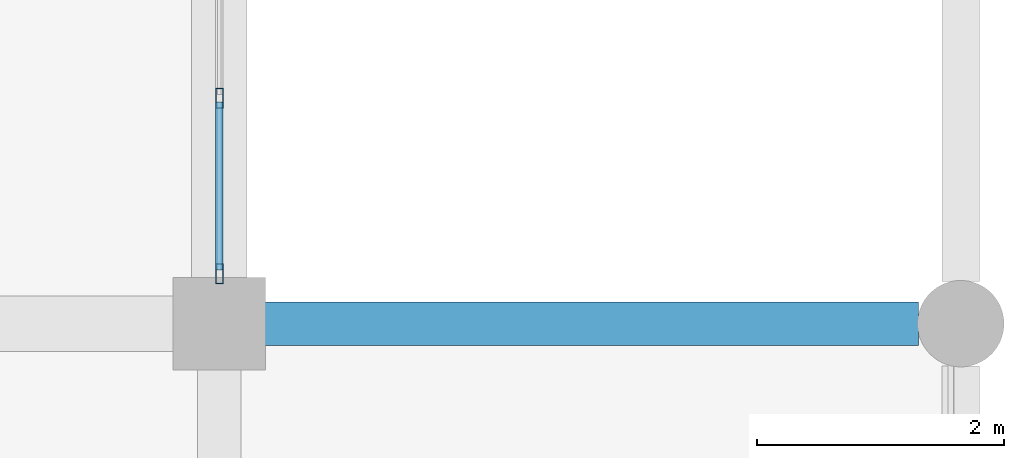
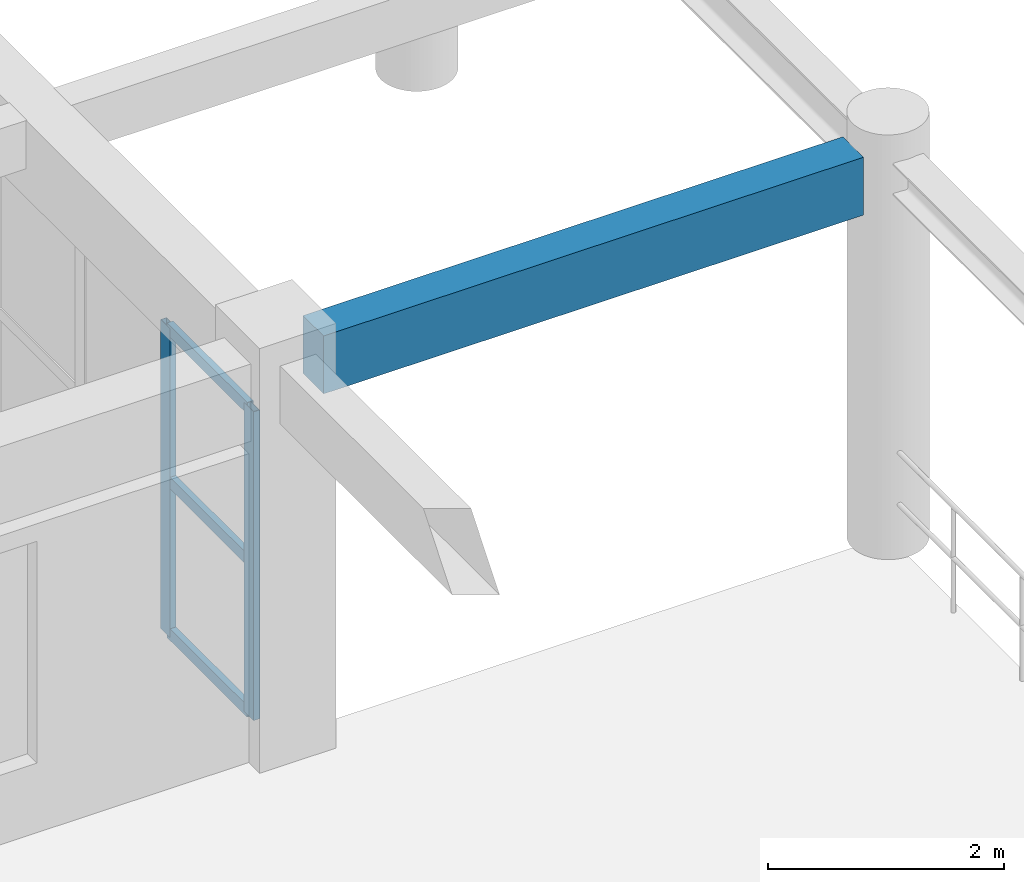
# One storey, part 55 of 116: 5 members, 1 beam, 1 element without a shape of its own.
"""IFC4 building model written with IfcOpenShell, lengths in metres."""

from ifc_helpers import new_model, si_unit, direction, frame, origin, origin_2d, place, context, subcontext, project, spatial, rectangle, hollow_rectangle, extrude, material, layer, layer_set, material_profile, profile_set, type_object, element, aggregate, save


model = new_model("IFC4")

# Units and contexts
model_context = context("Model", 3, precision=1e-05, world=origin(), true_north=direction((0.0, 1.0)))
body_context = subcontext(model_context, "Body", "Model", "MODEL_VIEW")
ifc_project = project(units=[si_unit("LENGTHUNIT", "METRE"), si_unit("AREAUNIT", "SQUARE_METRE"), si_unit("VOLUMEUNIT", "CUBIC_METRE"), si_unit("PLANEANGLEUNIT", "RADIAN"), si_unit("MASSUNIT", "GRAM", prefix="KILO")], contexts=[model_context])

# Site, building, storey
site_placement = place(None, origin())
site = spatial("IfcSite", under=ifc_project, at=site_placement, CompositionType="ELEMENT")
building_placement = place(site_placement, origin())
building = spatial("IfcBuilding", under=site, at=building_placement, Name="Muzn Square Opera House", CompositionType="ELEMENT")
storey_placement = place(building_placement, frame((0.0, 0.0, 5.39990234375)))
storey = spatial("IfcBuildingStorey", under=building, at=storey_placement, Name="L01", CompositionType="ELEMENT", Elevation=5.39990234375)

# Curtain wall, members
ifc_material_1 = material(Name="Low-E laminated acoustic double glazing", Category="glass")
ifc_layer = layer(ifc_material_1, 0.159912109375, Name="Low-E laminated acoustic double glazing", Category="glass")
ifc_layer_set = layer_set([ifc_layer], Name="Low-E laminated acoustic double glazing")
curtain_wall_type = type_object("IfcCurtainWallType", Name="Glazed Curtain Wall EastBlvd 7250x3200", PredefinedType="USERDEFINED", material=ifc_layer_set)
curtain_wall_placement = place(storey_placement, origin())
curtain_wall = element("IfcCurtainWall", 1, at=curtain_wall_placement, inside=storey, type_object=curtain_wall_type, Name="Glazed Curtain Wall CW-L01-112", ObjectType="GLAZED CURTAIN WALL", PredefinedType="USERDEFINED")
ifc_material_2 = material(Name="Anodised bronze aluminium 6063-T6", Category="metal")
ifc_material_profile_1 = material_profile(ifc_material_2, hollow_rectangle(XDim=0.06005859375, YDim=0.159912109375, WallThickness=0.00390625, at=origin_2d()), Name="ALU 160x60x4", Category="metal")
ifc_profile_set_1 = profile_set([ifc_material_profile_1], Name="Anodised bronze aluminium 6063-T6")
member_type_1 = type_object("IfcMemberType", Name="Curtain Wall Mullion 160x60", PredefinedType="MULLION", material=ifc_profile_set_1)
member_1_placement = place(storey_placement, frame((170.0, 6.405029296875, 0.0), z_axis=(0.0, 0.0, 1.0), x_axis=(-1.0, 0.0, 0.0)))
member_1 = element("IfcMember", 2, at=member_1_placement, type_object=member_type_1, Name="CW-EBL-72x32 mullion 1", PredefinedType="MULLION", context=body_context, shape_type="SweptSolid", body=[
    extrude(hollow_rectangle(XDim=0.06005859375, YDim=0.159912109375, WallThickness=0.00390625, at=origin_2d()), origin(), (0.0, 0.0, 1.0), 3.2001953125),
])
member_2_placement = place(storey_placement, frame((170.0, 7.824951171875, 0.0), z_axis=(0.0, 0.0, 1.0), x_axis=(-1.0, 0.0, 0.0)))
member_2 = element("IfcMember", 3, at=member_2_placement, type_object=member_type_1, Name="CW-EBL-72x32 mullion 2", PredefinedType="MULLION", context=body_context, shape_type="SweptSolid", body=[
    extrude(hollow_rectangle(XDim=0.06005859375, YDim=0.159912109375, WallThickness=0.00390625, at=origin_2d()), origin(), (0.0, 0.0, 1.0), 3.2001953125),
])
ifc_material_profile_2 = material_profile(ifc_material_2, hollow_rectangle(XDim=0.06005859375, YDim=0.1201171875, WallThickness=0.00390625, at=origin_2d()), Name="ALU 120x60x4", Category="metal")
ifc_profile_set_2 = profile_set([ifc_material_profile_2], Name="Anodised bronze aluminium 6063-T6")
member_type_2 = type_object("IfcMemberType", Name="Curtain Wall Transom 120x60", PredefinedType="USERDEFINED", material=ifc_profile_set_2)
member_3_placement = place(storey_placement, frame((170.0, 6.43505859375, 0.030029296875), z_axis=(0.0, 1.0, 0.0), x_axis=(-1.0, 0.0, 0.0)))
member_3 = element("IfcMember", 4, at=member_3_placement, type_object=member_type_2, Name="CW-EBL-72x32 transom 1.1", ObjectType="TRANSOM", PredefinedType="USERDEFINED", context=body_context, shape_type="SweptSolid", body=[
    extrude(hollow_rectangle(XDim=0.06005859375, YDim=0.1201171875, WallThickness=0.00390625, at=origin_2d()), origin(), (0.0, 0.0, 1.0), 1.35986328125),
])
member_4_placement = place(storey_placement, frame((170.0, 6.43505859375, 1.60009765625), z_axis=(0.0, 1.0, 0.0), x_axis=(-1.0, 0.0, 0.0)))
member_4 = element("IfcMember", 5, at=member_4_placement, type_object=member_type_2, Name="CW-EBL-72x32 transom 1.2", ObjectType="TRANSOM", PredefinedType="USERDEFINED", context=body_context, shape_type="SweptSolid", body=[
    extrude(hollow_rectangle(XDim=0.06005859375, YDim=0.1201171875, WallThickness=0.00390625, at=origin_2d()), origin(), (0.0, 0.0, 1.0), 1.35986328125),
])
member_5_placement = place(storey_placement, frame((170.0, 6.43505859375, 3.170166015625), z_axis=(0.0, 1.0, 0.0), x_axis=(-1.0, 0.0, 0.0)))
member_5 = element("IfcMember", 6, at=member_5_placement, type_object=member_type_2, Name="CW-EBL-72x32 transom 1.3", ObjectType="TRANSOM", PredefinedType="USERDEFINED", context=body_context, shape_type="SweptSolid", body=[
    extrude(hollow_rectangle(XDim=0.06005859375, YDim=0.1201171875, WallThickness=0.00390625, at=origin_2d()), origin(), (0.0, 0.0, 1.0), 1.35986328125),
])
aggregate(curtain_wall, [member_1, member_2, member_3, member_4, member_5])

# Beam
ifc_material_3 = material(Name="Concrete C40/50", Category="concrete")
ifc_material_profile_3 = material_profile(ifc_material_3, rectangle(XDim=0.35009765625, YDim=0.60009765625, at=origin_2d()), Name="RCB 350x600", Category="concrete")
ifc_profile_set_3 = profile_set([ifc_material_profile_3], Name="Concrete C40/50")
beam_type = type_object("IfcBeamType", Name="Primary Girder 350x600", PredefinedType="BEAM", material=ifc_profile_set_3)
beam_placement = place(storey_placement, frame((170.366943359375, 6.0, 3.85009765625), z_axis=(1.0, 0.0, 0.0), x_axis=(0.0, 1.0, 0.0)))
element("IfcBeam", 7, at=beam_placement, inside=storey, type_object=beam_type, Name="Primary Girder BM-L01-BM-PG600-1704_60_1757_60-1262", PredefinedType="BEAM", context=body_context, shape_type="SweptSolid", body=[
    extrude(rectangle(XDim=0.35009765625, YDim=0.60009765625, at=origin_2d()), origin(), (0.0, 0.0, 1.0), 5.291015625),
])

save(model, "model.ifc")
